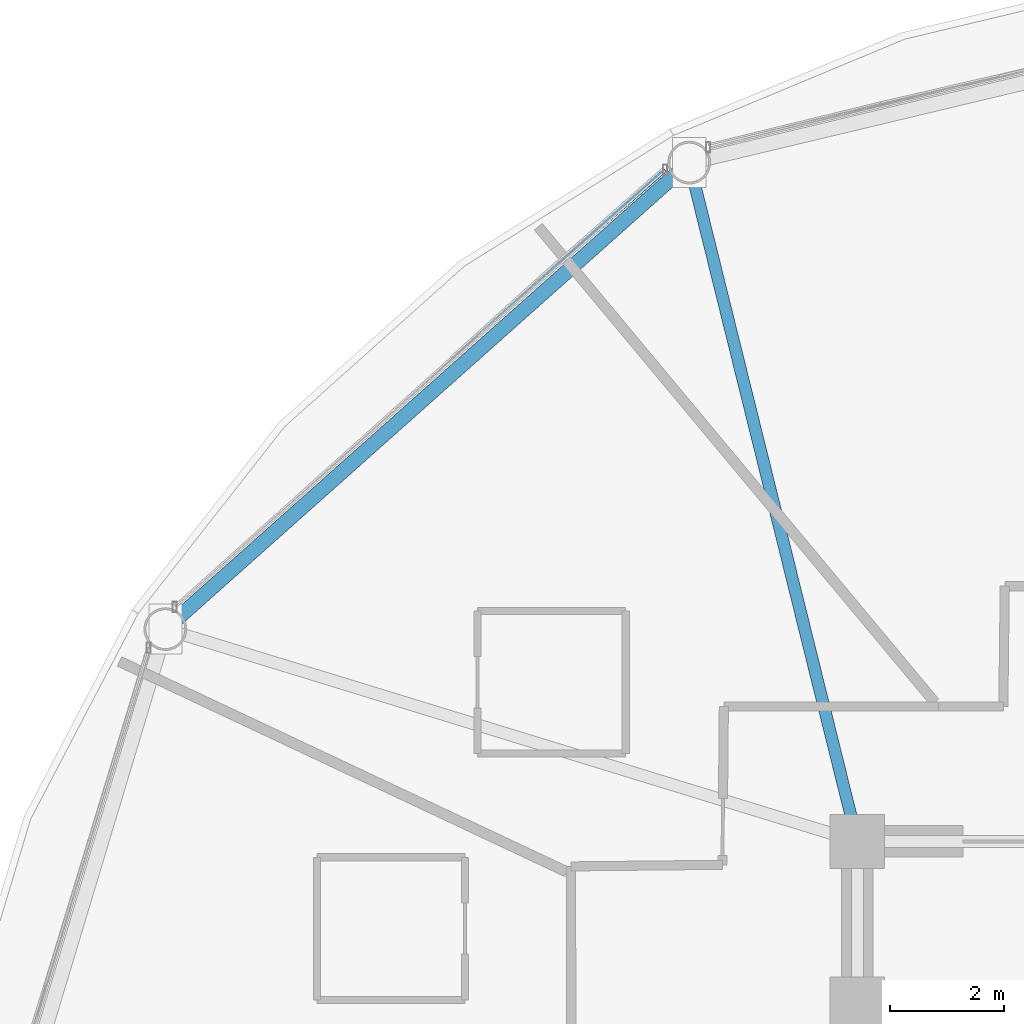
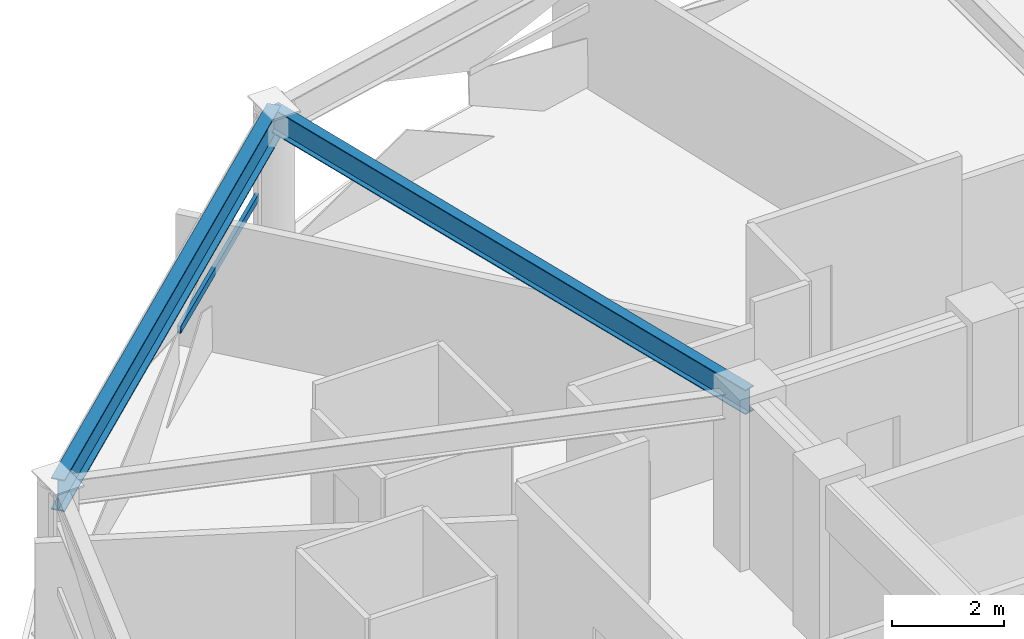
# One storey, part 15 of 30: 2 beams, 1 member, 1 element without a shape of its own.
"""IFC4 building model written with IfcOpenShell, lengths in metres."""

from ifc_helpers import new_model, si_unit, direction, frame, origin, origin_2d, place, context, subcontext, project, spatial, hollow_rectangle, i_section, extrude, material, layer, layer_set, material_profile, profile_set, type_object, element, aggregate, save


model = new_model("IFC4")

# Units and contexts
model_context = context("Model", 3, precision=1e-05, world=origin(), true_north=direction((0.0, 1.0)))
body_context = subcontext(model_context, "Body", "Model", "MODEL_VIEW")
ifc_project = project(units=[si_unit("LENGTHUNIT", "METRE"), si_unit("AREAUNIT", "SQUARE_METRE"), si_unit("VOLUMEUNIT", "CUBIC_METRE"), si_unit("PLANEANGLEUNIT", "RADIAN"), si_unit("MASSUNIT", "GRAM", prefix="KILO")], contexts=[model_context])

# Site, building, storey
site_placement = place(None, origin())
site = spatial("IfcSite", under=ifc_project, at=site_placement, CompositionType="ELEMENT")
building_placement = place(site_placement, origin())
building = spatial("IfcBuilding", under=site, at=building_placement, Name="Vantalir Tower", CompositionType="ELEMENT")
storey_placement = place(building_placement, frame((0.0, 0.0, 130.949951171875)))
storey = spatial("IfcBuildingStorey", under=building, at=storey_placement, Name="L32", CompositionType="ELEMENT", Elevation=130.949951171875)

# Beams
ifc_material_1 = material(Name="Steel S355", Category="steel")
ifc_material_profile_1 = material_profile(ifc_material_1, i_section(OverallWidth=0.2109375, OverallDepth=0.5390625, WebThickness=0.01171875, FlangeThickness=0.018798828125, at=origin_2d()), Name="Steel S355")
ifc_profile_set_1 = profile_set([ifc_material_profile_1], Name="Steel S355")
beam_type_1 = type_object("IfcBeamType", Name="BM-RB-533x210", PredefinedType="BEAM", material=ifc_profile_set_1)
beam_1_placement = place(storey_placement, frame((18.9541015625, 44.35107421875, 3.301025390625), z_axis=(0.240271895839, -0.970705627917, 0.0), x_axis=(0.970705627917, 0.240271895839, 0.0)))
element("IfcBeam", 1, at=beam_1_placement, inside=storey, type_object=beam_type_1, Name="L32 Radial Floor Beam 05", PredefinedType="BEAM", context=body_context, shape_type="SweptSolid", body=[
    extrude(i_section(OverallWidth=0.2109375, OverallDepth=0.5390625, WebThickness=0.01171875, FlangeThickness=0.018798828125, at=origin_2d()), origin(), (0.0, 0.0, 1.0), 12.26025390625),
])
ifc_material_2 = material(Name="Steel S460", Category="steel")
ifc_material_profile_2 = material_profile(ifc_material_2, i_section(OverallWidth=0.256103515625, OverallDepth=0.693115234375, WebThickness=0.014404296875, FlangeThickness=0.023681640625, at=origin_2d()), Name="Steel S460")
ifc_profile_set_2 = profile_set([ifc_material_profile_2], Name="Steel S460")
beam_type_2 = type_object("IfcBeamType", Name="BM-RG-686x254", PredefinedType="USERDEFINED", material=ifc_profile_set_2)
beam_2_placement = place(storey_placement, frame((18.9541015625, 44.35107421875, 3.22412109375), z_axis=(-0.746825280931, -0.665020300263, 0.0), x_axis=(0.665020300263, -0.746825280931, 0.0)))
element("IfcBeam", 2, at=beam_2_placement, inside=storey, type_object=beam_type_2, Name="L32 Circumferential Ring Girder 05", ObjectType="GIRDER", PredefinedType="USERDEFINED", context=body_context, shape_type="SweptSolid", body=[
    extrude(i_section(OverallWidth=0.256103515625, OverallDepth=0.693115234375, WebThickness=0.014404296875, FlangeThickness=0.023681640625, at=origin_2d()), origin(), (0.0, 0.0, 1.0), 12.298828125),
])

# Curtain wall, member
ifc_material_3 = material(Name="Champagne-silver PVDF aluminium and double-silver Low-E glass", Category="aluminium")
ifc_layer = layer(ifc_material_3, 0.199951171875)
ifc_layer_set = layer_set([ifc_layer], Name="Champagne-silver PVDF aluminium and double-silver Low-E glass")
curtain_wall_type = type_object("IfcCurtainWallType", Name="CW-DIAMOND-Z2", PredefinedType="USERDEFINED", material=ifc_layer_set)
curtain_wall_placement = place(storey_placement, origin())
curtain_wall = element("IfcCurtainWall", 3, at=curtain_wall_placement, inside=storey, type_object=curtain_wall_type, Name="L32 Quilted Pyramid-Diamond Curtain Wall S05", ObjectType="UNITISED CURTAIN WALL", PredefinedType="USERDEFINED")
ifc_material_4 = material(Name="Champagne-silver PVDF aluminium 6063-T6", Category="aluminium")
ifc_material_profile_3 = material_profile(ifc_material_4, hollow_rectangle(XDim=0.074951171875, YDim=0.159912109375, WallThickness=0.00390625, at=origin_2d()), Name="Champagne-silver PVDF aluminium 6063-T6")
ifc_profile_set_3 = profile_set([ifc_material_profile_3], Name="Champagne-silver PVDF aluminium 6063-T6")
member_type = type_object("IfcMemberType", Name="CWT-160x75", PredefinedType="USERDEFINED", material=ifc_profile_set_3)
member_placement = place(storey_placement, frame((18.531005859375, 44.222900390625, 1.78515625), z_axis=(-0.750226623025, -0.661180772637, 0.0), x_axis=(0.661180772637, -0.750226623025, 0.0)))
member = element("IfcMember", 4, at=member_placement, type_object=member_type, Name="CW-L32-S05 Pyramid Fold Ridge Transom", ObjectType="TRANSOM", PredefinedType="USERDEFINED", context=body_context, shape_type="SweptSolid", body=[
    extrude(hollow_rectangle(XDim=0.074951171875, YDim=0.159912109375, WallThickness=0.00390625, at=origin_2d()), origin(), (0.0, 0.0, 1.0), 4.378662109375),
])
aggregate(curtain_wall, [member])

save(model, "model.ifc")
